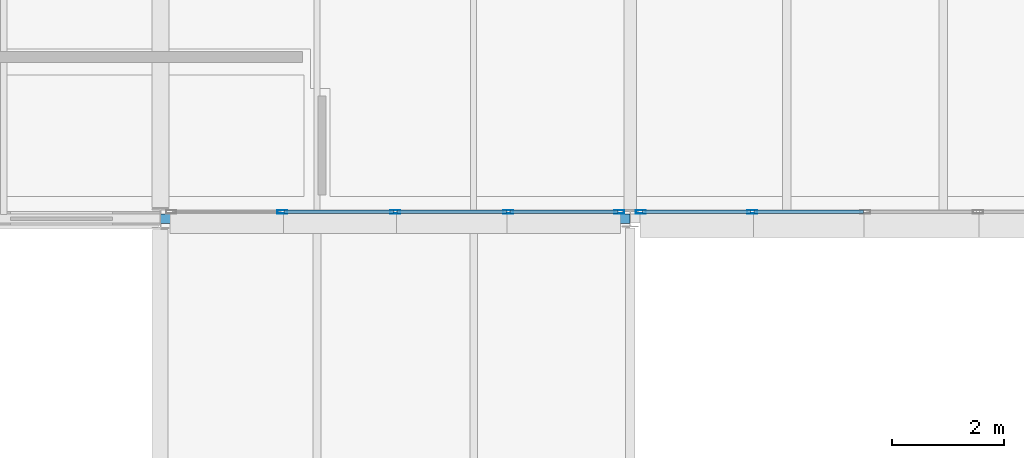
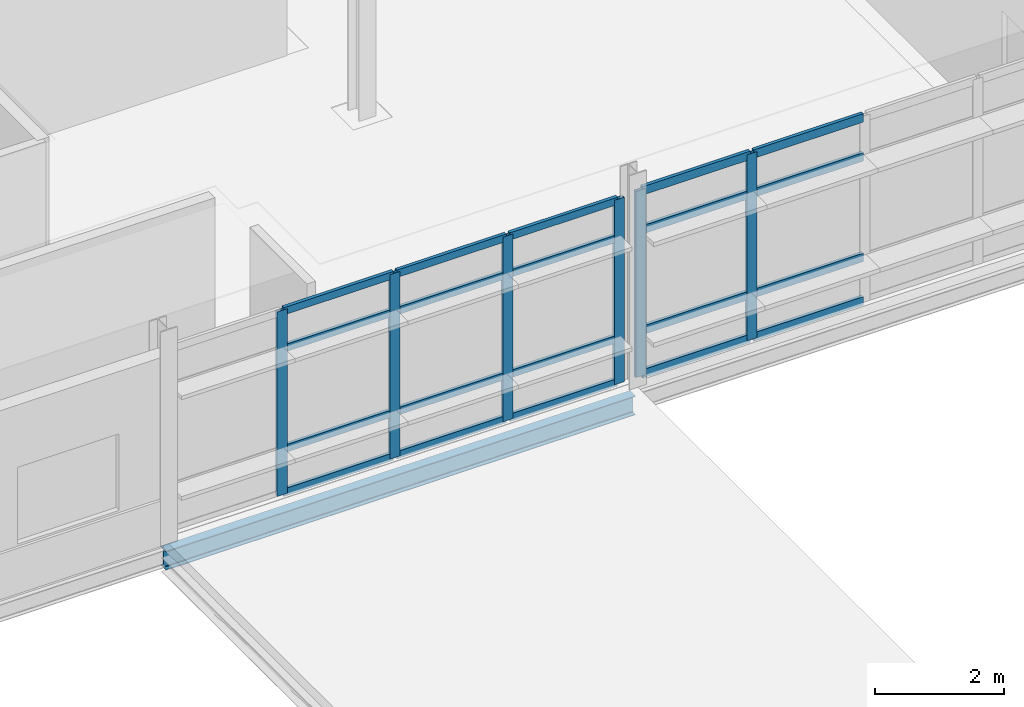
# One storey, part 35 of 57: 26 members, 1 beam, 2 elements without a shape of their own.
"""IFC4 building model written with IfcOpenShell, lengths in metres."""

import ifcopenshell
import ifcopenshell.guid

model = None  # the IFC model being written
_history = None  # IfcOwnerHistory: only IFC2X3 demands one
_inside = {}  # id of a spatial element -> (the spatial element, [elements in it])
_under = {}  # id of a project, library or spatial element -> (it, [spatial elements below it])
_declared = {}  # id of a project -> (the project, [libraries it declares])
_typed = {}  # id of a type object -> (the type object, [elements of that type])
_made_of = {}  # id of a material, layer set ... -> (it, [elements and type objects made of it])


def new_model(schema):
    """Start an empty IFC model of exactly this schema.

    Asked for "IFC4X3", IfcOpenShell would pick the latest addendum, in which some entities
    have other attributes; the version numbers below select the first issue.
    IFC2X3 requires an IfcOwnerHistory on every rooted entity: one is made here for all.
    """
    global model, _history
    if schema == "IFC4X3":
        model = ifcopenshell.file(schema_version=(4, 3, 0, 0))
    else:
        model = ifcopenshell.file(schema=schema)
    _inside.clear()
    _under.clear()
    _declared.clear()
    _typed.clear()
    _made_of.clear()
    _history = None
    if model.schema == "IFC2X3":
        org = make("IfcOrganization", Name="unknown")
        user = make(
            "IfcPersonAndOrganization",
            ThePerson=make("IfcPerson", FamilyName="unknown"),
            TheOrganization=org,
        )
        app = make(
            "IfcApplication",
            ApplicationDeveloper=org,
            Version="unknown",
            ApplicationFullName="unknown",
            ApplicationIdentifier="unknown",
        )
        _history = make(
            "IfcOwnerHistory",
            OwningUser=user,
            OwningApplication=app,
            ChangeAction="ADDED",
            CreationDate=0,
        )
    return model


def make(cls, **values):
    """One entity of the class cls with the attributes given. An attribute that is None is left unset."""
    return model.create_entity(
        cls, **{name: value for name, value in values.items() if value is not None}
    )


def rooted(cls, **values):
    """An entity with a GlobalId (a new one), such as an element, a storey or a relation."""
    return make(cls, GlobalId=ifcopenshell.guid.new(), OwnerHistory=_history, **values)


def si_unit(unit_type, name, prefix=None):
    """IfcSIUnit, for example si_unit("LENGTHUNIT", "METRE", prefix="MILLI")."""
    return make("IfcSIUnit", UnitType=unit_type, Prefix=prefix, Name=name)


def assignment(units):
    """IfcUnitAssignment: the units of a project."""
    return None if units is None else make("IfcUnitAssignment", Units=units)


def point(xyz):
    """IfcCartesianPoint."""
    return None if xyz is None else make("IfcCartesianPoint", Coordinates=xyz)


def direction(xyz):
    """IfcDirection."""
    return None if xyz is None else make("IfcDirection", DirectionRatios=xyz)


def frame(location, z_axis=None, x_axis=None):
    """IfcAxis2Placement3D, a coordinate frame: its origin and axes. An axis left out is left unset."""
    return make(
        "IfcAxis2Placement3D",
        Location=point(location),
        Axis=direction(z_axis),
        RefDirection=direction(x_axis),
    )


def frame_2d(location, x_axis=None):
    """IfcAxis2Placement2D, a coordinate frame in the plane: its origin and x axis."""
    return make(
        "IfcAxis2Placement2D", Location=point(location), RefDirection=direction(x_axis)
    )


def origin():
    """The frame at (0, 0, 0) with its axes left unset."""
    return frame((0.0, 0.0, 0.0))


def origin_2d():
    """The frame at (0, 0) in the plane with its x axis left unset."""
    return frame_2d((0.0, 0.0))


def place(relative_to, where):
    """IfcLocalPlacement: puts the frame where relative to a parent placement (None: the world)."""
    return make(
        "IfcLocalPlacement", PlacementRelTo=relative_to, RelativePlacement=where
    )


def context(
    kind, dimensions, precision=None, world=None, true_north=None, identifier=None
):
    """IfcGeometricRepresentationContext, for example the 3D "Model" context."""
    return make(
        "IfcGeometricRepresentationContext",
        ContextIdentifier=identifier,
        ContextType=kind,
        CoordinateSpaceDimension=dimensions,
        Precision=precision,
        WorldCoordinateSystem=world,
        TrueNorth=true_north,
    )


def subcontext(parent, identifier, kind, view, scale=None):
    """IfcGeometricRepresentationSubContext, for example "Body" below "Model"."""
    return make(
        "IfcGeometricRepresentationSubContext",
        ContextIdentifier=identifier,
        ContextType=kind,
        ParentContext=parent,
        TargetScale=scale,
        TargetView=view,
    )


def project(units=None, contexts=None):
    """IfcProject with its units and contexts."""
    return rooted(
        "IfcProject",
        Name="project",
        RepresentationContexts=contexts,
        UnitsInContext=assignment(units),
    )


def spatial(cls, under=None, at=None, **own):
    """A site, building, storey or space (cls), placed at a placement, below another one or the project."""
    s = rooted(cls, ObjectPlacement=at, **own)
    if under is not None:
        _under.setdefault(under.id(), (under, []))[1].append(s)
    return s


def profile(cls, at=None, kind="AREA", **sizes):
    """A parametric profile (cls). Its sizes go by their IFC names, for example OverallWidth=200.0."""
    return make(cls, ProfileType=kind, Position=at, **sizes)


def hollow_rectangle(**sizes):
    """IfcRectangleHollowProfileDef."""
    return profile("IfcRectangleHollowProfileDef", **sizes)


def i_section(**sizes):
    """IfcIShapeProfileDef."""
    return profile("IfcIShapeProfileDef", **sizes)


def extrude(swept, where, along, depth):
    """IfcExtrudedAreaSolid: the profile swept, set in the frame where, extruded along a direction by depth."""
    return make(
        "IfcExtrudedAreaSolid",
        SweptArea=swept,
        Position=where,
        ExtrudedDirection=direction(along),
        Depth=depth,
    )


def shape(context_of_items, identifier, shape_type, items):
    """IfcShapeRepresentation: the items that make up one representation, for example the "Body"."""
    return make(
        "IfcShapeRepresentation",
        ContextOfItems=context_of_items,
        RepresentationIdentifier=identifier,
        RepresentationType=shape_type,
        Items=items,
    )


def material(Name=None, Category=None):
    """IfcMaterial."""
    return make("IfcMaterial", Name=Name, Category=Category)


def material_profile(
    of_material, cross_section, Name=None, Category=None, Priority=None
):
    """IfcMaterialProfile: a cross section and its material."""
    return make(
        "IfcMaterialProfile",
        Name=Name,
        Material=of_material,
        Profile=cross_section,
        Priority=Priority,
        Category=Category,
    )


def profile_set(profiles, Name=None, composite=None):
    """IfcMaterialProfileSet."""
    return make(
        "IfcMaterialProfileSet",
        Name=Name,
        MaterialProfiles=profiles,
        CompositeProfile=composite,
    )


def made_of(thing, what):
    """Note that an element or type object is made of a material, layer set ...; save() writes the relation."""
    if what is not None:
        _made_of.setdefault(what.id(), (what, []))[1].append(thing)
    return thing


def type_object(cls, material=None, **own):
    """A type object (cls), such as IfcWallType, which elements share."""
    return made_of(rooted(cls, **own), material)


def element(
    cls,
    number,
    at=None,
    inside=None,
    cuts=None,
    type_object=None,
    material=None,
    context=None,
    identifier="Body",
    shape_type=None,
    held_by="IfcProductDefinitionShape",
    body=None,
    shapes=None,
    **own,
):
    """One element of the class cls, such as IfcWall. Its Tag is "e" and its number.

    at: its placement. inside: the storey or other place that contains it. cuts: it is an
    opening in that element (IfcRelVoidsElement). A single representation is given by context,
    identifier, shape_type and body (its items); several are given by shapes. held_by: the class
    of the entity that holds the representations. save() writes the other relations.
    """
    e = rooted(cls, Tag="e%d" % number, ObjectPlacement=at, **own)
    if body is not None:
        shapes = [shape(context, identifier, shape_type, body)]
    if shapes is not None:
        e.Representation = make(held_by, Representations=shapes)
    if inside is not None:
        _inside.setdefault(inside.id(), (inside, []))[1].append(e)
    if cuts is not None:
        rooted(
            "IfcRelVoidsElement", RelatingBuildingElement=cuts, RelatedOpeningElement=e
        )
    if type_object is not None:
        _typed.setdefault(type_object.id(), (type_object, []))[1].append(e)
    return made_of(e, material)


def aggregate(whole, parts):
    """IfcRelAggregates: a whole, such as a stair, and the parts it consists of."""
    return rooted("IfcRelAggregates", RelatingObject=whole, RelatedObjects=parts)


def save(model, path):
    """Write the relations noted so far, then the file.

    IfcRelAggregates (storeys below a building ...), IfcRelContainedInSpatialStructure (elements
    in a storey), IfcRelDefinesByType, IfcRelAssociatesMaterial and IfcRelDeclares: one each for
    every whole, place, type object, material and project.
    """
    for whole, parts in _under.values():
        aggregate(whole, parts)
    for where, things in _inside.values():
        rooted(
            "IfcRelContainedInSpatialStructure",
            RelatedElements=things,
            RelatingStructure=where,
        )
    for kind, things in _typed.values():
        rooted("IfcRelDefinesByType", RelatedObjects=things, RelatingType=kind)
    for what, things in _made_of.values():
        rooted("IfcRelAssociatesMaterial", RelatedObjects=things, RelatingMaterial=what)
    for by, libraries in _declared.values():
        rooted("IfcRelDeclares", RelatingContext=by, RelatedDefinitions=libraries)
    model.write(path)


model = new_model("IFC4")

# Units and contexts
model_context = context("Model", 3, precision=1e-05, world=origin(), true_north=direction((0.0, 1.0)))
body_context = subcontext(model_context, "Body", "Model", "MODEL_VIEW")
ifc_project = project(units=[si_unit("LENGTHUNIT", "METRE"), si_unit("AREAUNIT", "SQUARE_METRE"), si_unit("VOLUMEUNIT", "CUBIC_METRE"), si_unit("PLANEANGLEUNIT", "RADIAN"), si_unit("MASSUNIT", "GRAM", prefix="KILO")], contexts=[model_context])

# Site, building, storey
site_placement = place(None, origin())
site = spatial("IfcSite", under=ifc_project, at=site_placement, CompositionType="ELEMENT")
building_placement = place(site_placement, origin())
building = spatial("IfcBuilding", under=site, at=building_placement, Name="Mersafa Astral City Hall", CompositionType="ELEMENT")
storey_placement = place(building_placement, frame((0.0, 0.0, 26.10009765625)))
storey = spatial("IfcBuildingStorey", under=building, at=storey_placement, Name="L06", CompositionType="ELEMENT", Elevation=26.10009765625)

# Curtain wall, members
ifc_material_1 = material(Name="Anodised bronze aluminium framing", Category="aluminium")
curtain_wall_type_1 = type_object("IfcCurtainWallType", Name="ENV-CW-2", PredefinedType="USERDEFINED", material=ifc_material_1)
curtain_wall_1_placement = place(storey_placement, origin())
curtain_wall_1 = element("IfcCurtainWall", 1, at=curtain_wall_1_placement, inside=storey, type_object=curtain_wall_type_1, Name="L06 Unitised solar curtain wall 253", ObjectType="UNITISED CURTAIN WALL", PredefinedType="USERDEFINED")
ifc_material_profile_1 = material_profile(ifc_material_1, hollow_rectangle(XDim=0.06005859375, YDim=0.179931640625, WallThickness=0.00390625, at=origin_2d()), Name="RHS 60x180x4")
ifc_profile_set_1 = profile_set([ifc_material_profile_1], Name="Anodised bronze aluminium framing")
member_type_1 = type_object("IfcMemberType", Name="ENV-CW-MUL-1", PredefinedType="MULLION", material=ifc_profile_set_1)
member_1_placement = place(storey_placement, frame((170.180908203125, 100.919921875, -0.002197265625), z_axis=(0.0, 0.0, 1.0), x_axis=(0.0, 1.0, 0.0)))
member_1 = element("IfcMember", 2, at=member_1_placement, type_object=member_type_1, Name="CW-2 mullion 2", PredefinedType="MULLION", context=body_context, shape_type="SweptSolid", body=[
    extrude(hollow_rectangle(XDim=0.06005859375, YDim=0.179931640625, WallThickness=0.00390625, at=origin_2d()), origin(), (0.0, 0.0, 1.0), 3.489013671875),
])
member_2_placement = place(storey_placement, frame((172.199951171875, 100.919921875, -0.002197265625), z_axis=(0.0, 0.0, 1.0), x_axis=(0.0, 1.0, 0.0)))
member_2 = element("IfcMember", 3, at=member_2_placement, type_object=member_type_1, Name="CW-2 mullion 3", PredefinedType="MULLION", context=body_context, shape_type="SweptSolid", body=[
    extrude(hollow_rectangle(XDim=0.06005859375, YDim=0.179931640625, WallThickness=0.00390625, at=origin_2d()), origin(), (0.0, 0.0, 1.0), 3.489013671875),
])
member_3_placement = place(storey_placement, frame((174.218994140625, 100.919921875, -0.002197265625), z_axis=(0.0, 0.0, 1.0), x_axis=(0.0, 1.0, 0.0)))
member_3 = element("IfcMember", 4, at=member_3_placement, type_object=member_type_1, Name="CW-2 mullion 4", PredefinedType="MULLION", context=body_context, shape_type="SweptSolid", body=[
    extrude(hollow_rectangle(XDim=0.06005859375, YDim=0.179931640625, WallThickness=0.00390625, at=origin_2d()), origin(), (0.0, 0.0, 1.0), 3.489013671875),
])
member_4_placement = place(storey_placement, frame((176.2080078125, 100.919921875, -0.002197265625), z_axis=(0.0, 0.0, 1.0), x_axis=(0.0, 1.0, 0.0)))
member_4 = element("IfcMember", 5, at=member_4_placement, type_object=member_type_1, Name="CW-2 mullion 5", PredefinedType="MULLION", context=body_context, shape_type="SweptSolid", body=[
    extrude(hollow_rectangle(XDim=0.06005859375, YDim=0.179931640625, WallThickness=0.00390625, at=origin_2d()), origin(), (0.0, 0.0, 1.0), 3.489013671875),
])

curtain_wall_type_2 = type_object("IfcCurtainWallType", Name="ENV-CW-3", PredefinedType="USERDEFINED", material=ifc_material_1)
curtain_wall_2_placement = place(storey_placement, origin())
curtain_wall_2 = element("IfcCurtainWall", 6, at=curtain_wall_2_placement, inside=storey, type_object=curtain_wall_type_2, Name="L06 Unitised solar curtain wall 254", ObjectType="UNITISED CURTAIN WALL", PredefinedType="USERDEFINED")
member_5_placement = place(storey_placement, frame((176.592041015625, 100.919921875, -0.002197265625), z_axis=(0.0, 0.0, 1.0), x_axis=(0.0, 1.0, 0.0)))
member_5 = element("IfcMember", 7, at=member_5_placement, type_object=member_type_1, Name="CW-3 mullion 1", PredefinedType="MULLION", context=body_context, shape_type="SweptSolid", body=[
    extrude(hollow_rectangle(XDim=0.06005859375, YDim=0.179931640625, WallThickness=0.00390625, at=origin_2d()), origin(), (0.0, 0.0, 1.0), 3.51904296875),
])
member_6_placement = place(storey_placement, frame((178.5810546875, 100.919921875, -0.002197265625), z_axis=(0.0, 0.0, 1.0), x_axis=(0.0, 1.0, 0.0)))
member_6 = element("IfcMember", 8, at=member_6_placement, type_object=member_type_1, Name="CW-3 mullion 2", PredefinedType="MULLION", context=body_context, shape_type="SweptSolid", body=[
    extrude(hollow_rectangle(XDim=0.06005859375, YDim=0.179931640625, WallThickness=0.00390625, at=origin_2d()), origin(), (0.0, 0.0, 1.0), 3.51904296875),
])

# Member
ifc_material_profile_2 = material_profile(ifc_material_1, hollow_rectangle(XDim=0.06005859375, YDim=0.139892578125, WallThickness=0.00390625, at=origin_2d()), Name="RHS 60x140x4")
ifc_profile_set_2 = profile_set([ifc_material_profile_2], Name="Anodised bronze aluminium framing")
member_type_2 = type_object("IfcMemberType", Name="ENV-CW-TRN-1", PredefinedType="USERDEFINED", material=ifc_profile_set_2)
member_7_placement = place(storey_placement, frame((170.2109375, 100.919921875, 0.02783203125), z_axis=(1.0, 0.0, 0.0), x_axis=(0.0, 1.0, 0.0)))
member_7 = element("IfcMember", 9, at=member_7_placement, type_object=member_type_2, Name="CW-2 transom 2.1", ObjectType="TRANSOM", PredefinedType="USERDEFINED", context=body_context, shape_type="SweptSolid", body=[
    extrude(hollow_rectangle(XDim=0.06005859375, YDim=0.139892578125, WallThickness=0.00390625, at=origin_2d()), origin(), (0.0, 0.0, 1.0), 1.958984375),
])

member_8_placement = place(storey_placement, frame((170.2109375, 100.919921875, 0.849853515625), z_axis=(1.0, 0.0, 0.0), x_axis=(0.0, 1.0, 0.0)))
member_8 = element("IfcMember", 10, at=member_8_placement, type_object=member_type_2, Name="CW-2 transom 2.2", ObjectType="TRANSOM", PredefinedType="USERDEFINED", context=body_context, shape_type="SweptSolid", body=[
    extrude(hollow_rectangle(XDim=0.06005859375, YDim=0.139892578125, WallThickness=0.00390625, at=origin_2d()), origin(), (0.0, 0.0, 1.0), 1.958984375),
])

member_9_placement = place(storey_placement, frame((170.2109375, 100.919921875, 2.75), z_axis=(1.0, 0.0, 0.0), x_axis=(0.0, 1.0, 0.0)))
member_9 = element("IfcMember", 11, at=member_9_placement, type_object=member_type_2, Name="CW-2 transom 2.3", ObjectType="TRANSOM", PredefinedType="USERDEFINED", context=body_context, shape_type="SweptSolid", body=[
    extrude(hollow_rectangle(XDim=0.06005859375, YDim=0.139892578125, WallThickness=0.00390625, at=origin_2d()), origin(), (0.0, 0.0, 1.0), 1.958984375),
])

member_10_placement = place(storey_placement, frame((170.2109375, 100.919921875, 3.456787109375), z_axis=(1.0, 0.0, 0.0), x_axis=(0.0, 1.0, 0.0)))
member_10 = element("IfcMember", 12, at=member_10_placement, type_object=member_type_2, Name="CW-2 transom 2.4", ObjectType="TRANSOM", PredefinedType="USERDEFINED", context=body_context, shape_type="SweptSolid", body=[
    extrude(hollow_rectangle(XDim=0.06005859375, YDim=0.139892578125, WallThickness=0.00390625, at=origin_2d()), origin(), (0.0, 0.0, 1.0), 1.958984375),
])

member_11_placement = place(storey_placement, frame((172.22998046875, 100.919921875, 0.02783203125), z_axis=(1.0, 0.0, 0.0), x_axis=(0.0, 1.0, 0.0)))
member_11 = element("IfcMember", 13, at=member_11_placement, type_object=member_type_2, Name="CW-2 transom 3.1", ObjectType="TRANSOM", PredefinedType="USERDEFINED", context=body_context, shape_type="SweptSolid", body=[
    extrude(hollow_rectangle(XDim=0.06005859375, YDim=0.139892578125, WallThickness=0.00390625, at=origin_2d()), origin(), (0.0, 0.0, 1.0), 1.958984375),
])

member_12_placement = place(storey_placement, frame((172.22998046875, 100.919921875, 0.849853515625), z_axis=(1.0, 0.0, 0.0), x_axis=(0.0, 1.0, 0.0)))
member_12 = element("IfcMember", 14, at=member_12_placement, type_object=member_type_2, Name="CW-2 transom 3.2", ObjectType="TRANSOM", PredefinedType="USERDEFINED", context=body_context, shape_type="SweptSolid", body=[
    extrude(hollow_rectangle(XDim=0.06005859375, YDim=0.139892578125, WallThickness=0.00390625, at=origin_2d()), origin(), (0.0, 0.0, 1.0), 1.958984375),
])

member_13_placement = place(storey_placement, frame((172.22998046875, 100.919921875, 2.75), z_axis=(1.0, 0.0, 0.0), x_axis=(0.0, 1.0, 0.0)))
member_13 = element("IfcMember", 15, at=member_13_placement, type_object=member_type_2, Name="CW-2 transom 3.3", ObjectType="TRANSOM", PredefinedType="USERDEFINED", context=body_context, shape_type="SweptSolid", body=[
    extrude(hollow_rectangle(XDim=0.06005859375, YDim=0.139892578125, WallThickness=0.00390625, at=origin_2d()), origin(), (0.0, 0.0, 1.0), 1.958984375),
])

member_14_placement = place(storey_placement, frame((172.22998046875, 100.919921875, 3.456787109375), z_axis=(1.0, 0.0, 0.0), x_axis=(0.0, 1.0, 0.0)))
member_14 = element("IfcMember", 16, at=member_14_placement, type_object=member_type_2, Name="CW-2 transom 3.4", ObjectType="TRANSOM", PredefinedType="USERDEFINED", context=body_context, shape_type="SweptSolid", body=[
    extrude(hollow_rectangle(XDim=0.06005859375, YDim=0.139892578125, WallThickness=0.00390625, at=origin_2d()), origin(), (0.0, 0.0, 1.0), 1.958984375),
])

member_15_placement = place(storey_placement, frame((174.2490234375, 100.919921875, 0.02783203125), z_axis=(1.0, 0.0, 0.0), x_axis=(0.0, 1.0, 0.0)))
member_15 = element("IfcMember", 17, at=member_15_placement, type_object=member_type_2, Name="CW-2 transom 4.1", ObjectType="TRANSOM", PredefinedType="USERDEFINED", context=body_context, shape_type="SweptSolid", body=[
    extrude(hollow_rectangle(XDim=0.06005859375, YDim=0.139892578125, WallThickness=0.00390625, at=origin_2d()), origin(), (0.0, 0.0, 1.0), 1.928955078125),
])

member_16_placement = place(storey_placement, frame((174.2490234375, 100.919921875, 0.849853515625), z_axis=(1.0, 0.0, 0.0), x_axis=(0.0, 1.0, 0.0)))
member_16 = element("IfcMember", 18, at=member_16_placement, type_object=member_type_2, Name="CW-2 transom 4.2", ObjectType="TRANSOM", PredefinedType="USERDEFINED", context=body_context, shape_type="SweptSolid", body=[
    extrude(hollow_rectangle(XDim=0.06005859375, YDim=0.139892578125, WallThickness=0.00390625, at=origin_2d()), origin(), (0.0, 0.0, 1.0), 1.928955078125),
])

member_17_placement = place(storey_placement, frame((174.2490234375, 100.919921875, 2.75), z_axis=(1.0, 0.0, 0.0), x_axis=(0.0, 1.0, 0.0)))
member_17 = element("IfcMember", 19, at=member_17_placement, type_object=member_type_2, Name="CW-2 transom 4.3", ObjectType="TRANSOM", PredefinedType="USERDEFINED", context=body_context, shape_type="SweptSolid", body=[
    extrude(hollow_rectangle(XDim=0.06005859375, YDim=0.139892578125, WallThickness=0.00390625, at=origin_2d()), origin(), (0.0, 0.0, 1.0), 1.928955078125),
])

member_18_placement = place(storey_placement, frame((174.2490234375, 100.919921875, 3.456787109375), z_axis=(1.0, 0.0, 0.0), x_axis=(0.0, 1.0, 0.0)))
member_18 = element("IfcMember", 20, at=member_18_placement, type_object=member_type_2, Name="CW-2 transom 4.4", ObjectType="TRANSOM", PredefinedType="USERDEFINED", context=body_context, shape_type="SweptSolid", body=[
    extrude(hollow_rectangle(XDim=0.06005859375, YDim=0.139892578125, WallThickness=0.00390625, at=origin_2d()), origin(), (0.0, 0.0, 1.0), 1.928955078125),
])

aggregate(curtain_wall_1, [member_1, member_2, member_3, member_4, member_7, member_8, member_9, member_10, member_11, member_12, member_13, member_14, member_15, member_16, member_17, member_18])

ifc_material_profile_3 = material_profile(ifc_material_1, hollow_rectangle(XDim=0.06005859375, YDim=0.159912109375, WallThickness=0.00390625, at=origin_2d()), Name="RHS 60x160x4")
ifc_profile_set_3 = profile_set([ifc_material_profile_3], Name="Anodised bronze aluminium framing")
member_type_3 = type_object("IfcMemberType", Name="ENV-CW-TRN-2", PredefinedType="USERDEFINED", material=ifc_profile_set_3)
member_19_placement = place(storey_placement, frame((176.6220703125, 100.919921875, 0.02783203125), z_axis=(1.0, 0.0, 0.0), x_axis=(0.0, 1.0, 0.0)))
member_19 = element("IfcMember", 21, at=member_19_placement, type_object=member_type_3, Name="CW-3 transom 1.1", ObjectType="TRANSOM", PredefinedType="USERDEFINED", context=body_context, shape_type="SweptSolid", body=[
    extrude(hollow_rectangle(XDim=0.06005859375, YDim=0.159912109375, WallThickness=0.00390625, at=origin_2d()), origin(), (0.0, 0.0, 1.0), 1.928955078125),
])

member_20_placement = place(storey_placement, frame((176.6220703125, 100.919921875, 0.849853515625), z_axis=(1.0, 0.0, 0.0), x_axis=(0.0, 1.0, 0.0)))
member_20 = element("IfcMember", 22, at=member_20_placement, type_object=member_type_3, Name="CW-3 transom 1.2", ObjectType="TRANSOM", PredefinedType="USERDEFINED", context=body_context, shape_type="SweptSolid", body=[
    extrude(hollow_rectangle(XDim=0.06005859375, YDim=0.159912109375, WallThickness=0.00390625, at=origin_2d()), origin(), (0.0, 0.0, 1.0), 1.928955078125),
])

member_21_placement = place(storey_placement, frame((176.6220703125, 100.919921875, 2.75), z_axis=(1.0, 0.0, 0.0), x_axis=(0.0, 1.0, 0.0)))
member_21 = element("IfcMember", 23, at=member_21_placement, type_object=member_type_3, Name="CW-3 transom 1.3", ObjectType="TRANSOM", PredefinedType="USERDEFINED", context=body_context, shape_type="SweptSolid", body=[
    extrude(hollow_rectangle(XDim=0.06005859375, YDim=0.159912109375, WallThickness=0.00390625, at=origin_2d()), origin(), (0.0, 0.0, 1.0), 1.928955078125),
])

member_22_placement = place(storey_placement, frame((176.6220703125, 100.919921875, 3.48681640625), z_axis=(1.0, 0.0, 0.0), x_axis=(0.0, 1.0, 0.0)))
member_22 = element("IfcMember", 24, at=member_22_placement, type_object=member_type_3, Name="CW-3 transom 1.4", ObjectType="TRANSOM", PredefinedType="USERDEFINED", context=body_context, shape_type="SweptSolid", body=[
    extrude(hollow_rectangle(XDim=0.06005859375, YDim=0.159912109375, WallThickness=0.00390625, at=origin_2d()), origin(), (0.0, 0.0, 1.0), 1.928955078125),
])

member_23_placement = place(storey_placement, frame((178.611083984375, 100.919921875, 0.02783203125), z_axis=(1.0, 0.0, 0.0), x_axis=(0.0, 1.0, 0.0)))
member_23 = element("IfcMember", 25, at=member_23_placement, type_object=member_type_3, Name="CW-3 transom 2.1", ObjectType="TRANSOM", PredefinedType="USERDEFINED", context=body_context, shape_type="SweptSolid", body=[
    extrude(hollow_rectangle(XDim=0.06005859375, YDim=0.159912109375, WallThickness=0.00390625, at=origin_2d()), origin(), (0.0, 0.0, 1.0), 1.958984375),
])

member_24_placement = place(storey_placement, frame((178.611083984375, 100.919921875, 0.849853515625), z_axis=(1.0, 0.0, 0.0), x_axis=(0.0, 1.0, 0.0)))
member_24 = element("IfcMember", 26, at=member_24_placement, type_object=member_type_3, Name="CW-3 transom 2.2", ObjectType="TRANSOM", PredefinedType="USERDEFINED", context=body_context, shape_type="SweptSolid", body=[
    extrude(hollow_rectangle(XDim=0.06005859375, YDim=0.159912109375, WallThickness=0.00390625, at=origin_2d()), origin(), (0.0, 0.0, 1.0), 1.958984375),
])

member_25_placement = place(storey_placement, frame((178.611083984375, 100.919921875, 2.75), z_axis=(1.0, 0.0, 0.0), x_axis=(0.0, 1.0, 0.0)))
member_25 = element("IfcMember", 27, at=member_25_placement, type_object=member_type_3, Name="CW-3 transom 2.3", ObjectType="TRANSOM", PredefinedType="USERDEFINED", context=body_context, shape_type="SweptSolid", body=[
    extrude(hollow_rectangle(XDim=0.06005859375, YDim=0.159912109375, WallThickness=0.00390625, at=origin_2d()), origin(), (0.0, 0.0, 1.0), 1.958984375),
])

member_26_placement = place(storey_placement, frame((178.611083984375, 100.919921875, 3.48681640625), z_axis=(1.0, 0.0, 0.0), x_axis=(0.0, 1.0, 0.0)))
member_26 = element("IfcMember", 28, at=member_26_placement, type_object=member_type_3, Name="CW-3 transom 2.4", ObjectType="TRANSOM", PredefinedType="USERDEFINED", context=body_context, shape_type="SweptSolid", body=[
    extrude(hollow_rectangle(XDim=0.06005859375, YDim=0.159912109375, WallThickness=0.00390625, at=origin_2d()), origin(), (0.0, 0.0, 1.0), 1.958984375),
])

aggregate(curtain_wall_2, [member_5, member_6, member_19, member_20, member_21, member_22, member_23, member_24, member_25, member_26])

# Beam
ifc_material_2 = material(Name="Steel S355", Category="steel")
ifc_material_profile_4 = material_profile(ifc_material_2, i_section(OverallWidth=0.169921875, OverallDepth=0.360107421875, WebThickness=0.008056640625, FlangeThickness=0.0126953125, FilletRadius=0.01806640625, at=origin_2d()), Name="IPE 360")
ifc_profile_set_4 = profile_set([ifc_material_profile_4], Name="Steel S355")
beam_type = type_object("IfcBeamType", Name="STR-BM-SPANDREL-IPE360", PredefinedType="SPANDREL", material=ifc_profile_set_4)
beam_placement = place(storey_placement, frame((168.0029296875, 100.800048828125, -0.380126953125), z_axis=(1.0, 0.0, 0.0), x_axis=(0.0, 1.0, 0.0)))
element("IfcBeam", 29, at=beam_placement, inside=storey, type_object=beam_type, Name="L06 Primary girder X 20-12", PredefinedType="SPANDREL", context=body_context, shape_type="SweptSolid", body=[
    extrude(i_section(OverallWidth=0.169921875, OverallDepth=0.360107421875, WebThickness=0.008056640625, FlangeThickness=0.0126953125, FilletRadius=0.01806640625, at=origin_2d()), origin(), (0.0, 0.0, 1.0), 8.39404296875),
])

save(model, "model.ifc")
